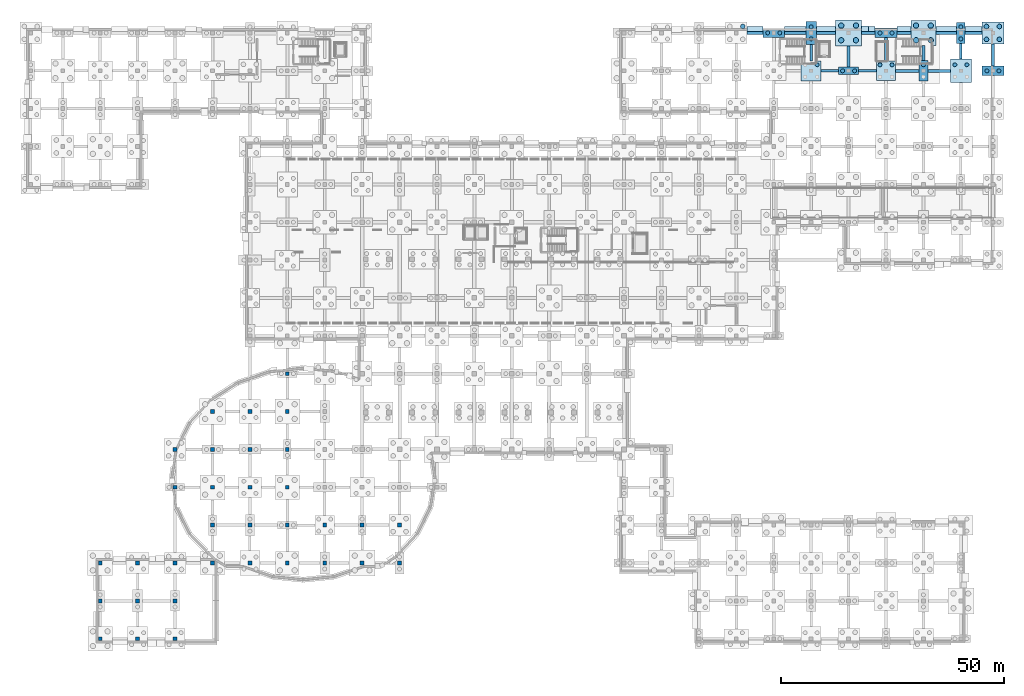
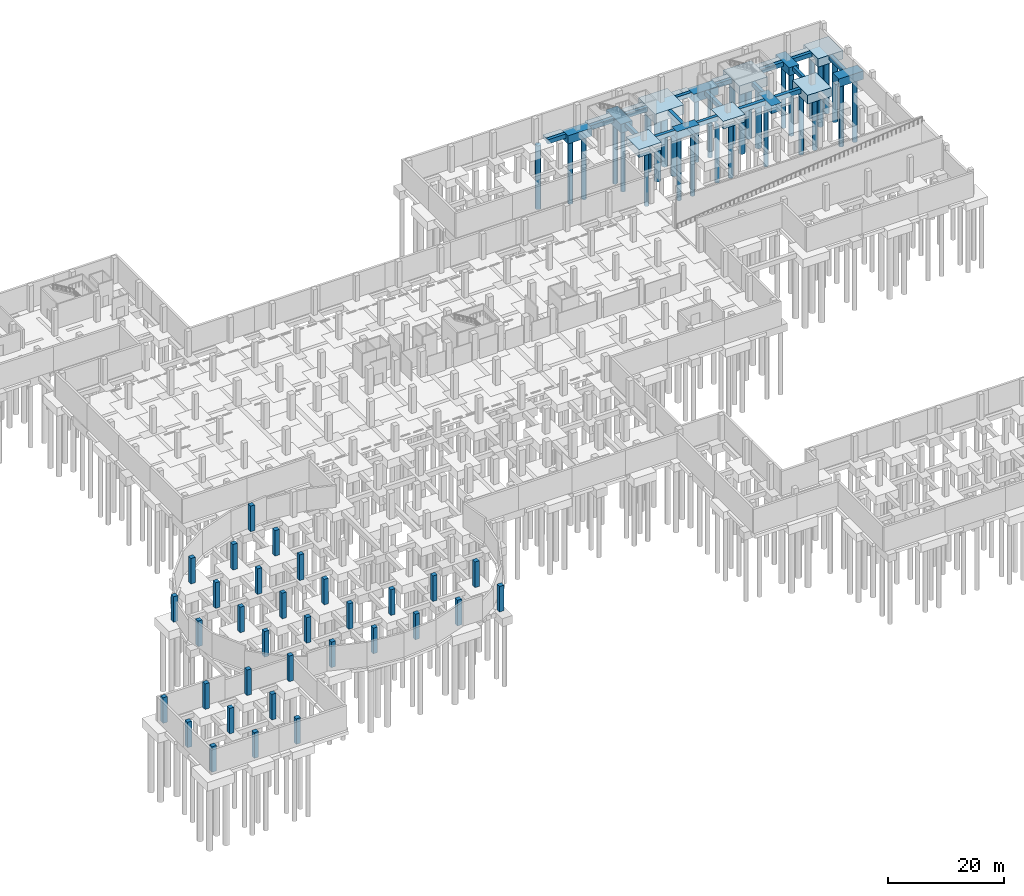
# One storey, part 22 of 34: 38 footings, 33 columns, 31 piles.
"""IFC4 building model written with IfcOpenShell, lengths in metres."""

from ifc_helpers import new_model, si_unit, direction, frame, origin, origin_2d, place, context, subcontext, project, spatial, rectangle, circle, extrude, material, material_profile, profile_set, type_object, element, save


model = new_model("IFC4")

# Units and contexts
model_context = context("Model", 3, precision=1e-05, world=origin(), true_north=direction((0.0, 1.0)))
body_context = subcontext(model_context, "Body", "Model", "MODEL_VIEW")
ifc_project = project(units=[si_unit("LENGTHUNIT", "METRE"), si_unit("AREAUNIT", "SQUARE_METRE"), si_unit("VOLUMEUNIT", "CUBIC_METRE"), si_unit("PLANEANGLEUNIT", "RADIAN"), si_unit("MASSUNIT", "GRAM", prefix="KILO")], contexts=[model_context])

# Site, building, storey
site_placement = place(None, origin())
site = spatial("IfcSite", under=ifc_project, at=site_placement, CompositionType="ELEMENT")
building_placement = place(site_placement, origin())
building = spatial("IfcBuilding", under=site, at=building_placement, Name="Solvento Point Concert Hall", CompositionType="ELEMENT")
storey_placement = place(building_placement, frame((0.0, 0.0, -5.39990234375)))
storey = spatial("IfcBuildingStorey", under=building, at=storey_placement, Name="B01", CompositionType="ELEMENT", Elevation=-5.39990234375)

# Piles
ifc_material_1 = material(Name="Concrete C40/50", Category="concrete")
ifc_material_profile_1 = material_profile(ifc_material_1, circle(Radius=0.52490234375, at=origin_2d()), Name="BP-1050")
ifc_profile_set_1 = profile_set([ifc_material_profile_1], Name="Concrete C40/50")
pile_type_1 = type_object("IfcPileType", Name="BoredPile_1050", PredefinedType="BORED", material=ifc_profile_set_1)
pile_1_placement = place(storey_placement, frame((159.85009765625, 137.449951171875, -1.6201171875), z_axis=(0.0, 0.0, -1.0), x_axis=(1.0, 0.0, 0.0)))
element("IfcPile", 1, at=pile_1_placement, inside=storey, type_object=pile_type_1, Name="Bored pile BoredPile_1050 #592", PredefinedType="BORED", context=body_context, shape_type="SweptSolid", body=[
    extrude(circle(Radius=0.52490234375, at=origin_2d()), origin(), (0.0, 0.0, 1.0), 13.47998046875),
])
for number, where, z_axis, x_axis, name in (
    (2, (214.550048828125, 134.550048828125, -1.66015625), (0.0, 0.0, -1.0), (1.0, 0.0, 0.0), "Bored pile BoredPile_1050 #811"),
    (3, (217.449951171875, 134.550048828125, -1.66015625), (0.0, 0.0, -1.0), (1.0, 0.0, 0.0), "Bored pile BoredPile_1050 #812"),
    (4, (214.550048828125, 137.449951171875, -1.66015625), (0.0, 0.0, -1.0), (1.0, 0.0, 0.0), "Bored pile BoredPile_1050 #813"),
    (5, (217.449951171875, 137.449951171875, -1.66015625), (0.0, 0.0, -1.0), (1.0, 0.0, 0.0), "Bored pile BoredPile_1050 #814"),
):
    element("IfcPile", number, at=place(storey_placement, frame(where, z_axis=z_axis, x_axis=x_axis)), inside=storey, type_object=pile_type_1, Name=name, PredefinedType="BORED", context=body_context, shape_type="SweptSolid", body=[
        extrude(circle(Radius=0.52490234375, at=origin_2d()), origin(), (0.0, 0.0, 1.0), 13.43994140625),
    ])
ifc_material_2 = material(Name="Concrete C40/50", Category="concrete")
ifc_material_profile_2 = material_profile(ifc_material_2, circle(Radius=0.60009765625, at=origin_2d()), Name="BP-1200")
ifc_profile_set_2 = profile_set([ifc_material_profile_2], Name="Concrete C40/50")
pile_type_2 = type_object("IfcPileType", Name="BoredPile_1200", PredefinedType="BORED", material=ifc_profile_set_2)
for number, where, z_axis, x_axis, name in (
    (6, (181.949951171875, 134.35009765625, -1.85009765625), (0.0, 0.0, -1.0), (1.0, 0.0, 0.0), "Bored pile BoredPile_1200 #691"),
    (7, (185.25, 134.35009765625, -1.85009765625), (0.0, 0.0, -1.0), (1.0, 0.0, 0.0), "Bored pile BoredPile_1200 #692"),
    (8, (181.949951171875, 137.64990234375, -1.85009765625), (0.0, 0.0, -1.0), (1.0, 0.0, 0.0), "Bored pile BoredPile_1200 #693"),
    (9, (185.25, 137.64990234375, -1.85009765625), (0.0, 0.0, -1.0), (1.0, 0.0, 0.0), "Bored pile BoredPile_1200 #694"),
):
    element("IfcPile", number, at=place(storey_placement, frame(where, z_axis=z_axis, x_axis=x_axis)), inside=storey, type_object=pile_type_2, Name=name, PredefinedType="BORED", context=body_context, shape_type="SweptSolid", body=[
        extrude(circle(Radius=0.60009765625, at=origin_2d()), origin(), (0.0, 0.0, 1.0), 13.25),
    ])
for number, where, z_axis, x_axis, name in (
    (10, (198.75, 134.35009765625, -1.800048828125), (0.0, 0.0, -1.0), (1.0, 0.0, 0.0), "Bored pile BoredPile_1200 #757"),
    (11, (202.050048828125, 134.35009765625, -1.800048828125), (0.0, 0.0, -1.0), (1.0, 0.0, 0.0), "Bored pile BoredPile_1200 #758"),
    (12, (198.75, 137.64990234375, -1.800048828125), (0.0, 0.0, -1.0), (1.0, 0.0, 0.0), "Bored pile BoredPile_1200 #759"),
    (13, (202.050048828125, 137.64990234375, -1.800048828125), (0.0, 0.0, -1.0), (1.0, 0.0, 0.0), "Bored pile BoredPile_1200 #760"),
):
    element("IfcPile", number, at=place(storey_placement, frame(where, z_axis=z_axis, x_axis=x_axis)), inside=storey, type_object=pile_type_2, Name=name, PredefinedType="BORED", context=body_context, shape_type="SweptSolid", body=[
        extrude(circle(Radius=0.60009765625, at=origin_2d()), origin(), (0.0, 0.0, 1.0), 13.300048828125),
    ])
ifc_material_3 = material(Name="Concrete C40/50", Category="concrete")
ifc_material_profile_3 = material_profile(ifc_material_3, circle(Radius=0.449951171875, at=origin_2d()), Name="BP-900")
ifc_profile_set_3 = profile_set([ifc_material_profile_3], Name="Concrete C40/50")
pile_type_3 = type_object("IfcPileType", Name="BoredPile_900", PredefinedType="BORED", material=ifc_profile_set_3)
for number, where, z_axis, x_axis, name in (
    (14, (165.449951171875, 136.0, -1.60009765625), (0.0, 0.0, -1.0), (1.0, 0.0, 0.0), "Bored pile BoredPile_900 #629"),
    (15, (168.14990234375, 136.0, -1.60009765625), (0.0, 0.0, -1.0), (1.0, 0.0, 0.0), "Bored pile BoredPile_900 #630"),
):
    element("IfcPile", number, at=place(storey_placement, frame(where, z_axis=z_axis, x_axis=x_axis)), inside=storey, type_object=pile_type_3, Name=name, PredefinedType="BORED", context=body_context, shape_type="SweptSolid", body=[
        extrude(circle(Radius=0.449951171875, at=origin_2d()), origin(), (0.0, 0.0, 1.0), 13.5),
    ])
pile_2_placement = place(storey_placement, frame((176.550048828125, 128.85009765625, -1.550048828125), z_axis=(0.0, 0.0, -1.0), x_axis=(1.0, 0.0, 0.0)))
element("IfcPile", 16, at=pile_2_placement, inside=storey, type_object=pile_type_3, Name="Bored pile BoredPile_900 #658", PredefinedType="BORED", context=body_context, shape_type="SweptSolid", body=[
    extrude(circle(Radius=0.449951171875, at=origin_2d()), origin(), (0.0, 0.0, 1.0), 13.550048828125),
])
for number, where, z_axis, x_axis, name in (
    (17, (175.199951171875, 134.64990234375, -1.739990234375), (0.0, 0.0, -1.0), (1.0, 0.0, 0.0), "Bored pile BoredPile_900 #659"),
    (18, (175.199951171875, 137.35009765625, -1.739990234375), (0.0, 0.0, -1.0), (1.0, 0.0, 0.0), "Bored pile BoredPile_900 #660"),
):
    element("IfcPile", number, at=place(storey_placement, frame(where, z_axis=z_axis, x_axis=x_axis)), inside=storey, type_object=pile_type_3, Name=name, PredefinedType="BORED", context=body_context, shape_type="SweptSolid", body=[
        extrude(circle(Radius=0.449951171875, at=origin_2d()), origin(), (0.0, 0.0, 1.0), 13.360107421875),
    ])
for number, where, z_axis, x_axis, name in (
    (19, (182.25, 127.5, -1.5), (0.0, 0.0, -1.0), (1.0, 0.0, 0.0), "Bored pile BoredPile_900 #689"),
    (20, (184.949951171875, 127.5, -1.5), (0.0, 0.0, -1.0), (1.0, 0.0, 0.0), "Bored pile BoredPile_900 #690"),
    (21, (190.64990234375, 128.85009765625, -1.5), (0.0, 0.0, -1.0), (1.0, 0.0, 0.0), "Bored pile BoredPile_900 #723"),
    (22, (193.35009765625, 128.85009765625, -1.5), (0.0, 0.0, -1.0), (1.0, 0.0, 0.0), "Bored pile BoredPile_900 #724"),
):
    element("IfcPile", number, at=place(storey_placement, frame(where, z_axis=z_axis, x_axis=x_axis)), inside=storey, type_object=pile_type_3, Name=name, PredefinedType="BORED", context=body_context, shape_type="SweptSolid", body=[
        extrude(circle(Radius=0.449951171875, at=origin_2d()), origin(), (0.0, 0.0, 1.0), 13.60009765625),
    ])
for number, where, z_axis, x_axis, name in (
    (23, (190.64990234375, 136.0, -1.650146484375), (0.0, 0.0, -1.0), (1.0, 0.0, 0.0), "Bored pile BoredPile_900 #725"),
    (24, (193.35009765625, 136.0, -1.650146484375), (0.0, 0.0, -1.0), (1.0, 0.0, 0.0), "Bored pile BoredPile_900 #726"),
):
    element("IfcPile", number, at=place(storey_placement, frame(where, z_axis=z_axis, x_axis=x_axis)), inside=storey, type_object=pile_type_3, Name=name, PredefinedType="BORED", context=body_context, shape_type="SweptSolid", body=[
        extrude(circle(Radius=0.449951171875, at=origin_2d()), origin(), (0.0, 0.0, 1.0), 13.449951171875),
    ])
pile_3_placement = place(storey_placement, frame((200.39990234375, 128.85009765625, -1.56005859375), z_axis=(0.0, 0.0, -1.0), x_axis=(1.0, 0.0, 0.0)))
element("IfcPile", 25, at=pile_3_placement, inside=storey, type_object=pile_type_3, Name="Bored pile BoredPile_900 #756", PredefinedType="BORED", context=body_context, shape_type="SweptSolid", body=[
    extrude(circle(Radius=0.449951171875, at=origin_2d()), origin(), (0.0, 0.0, 1.0), 13.5400390625),
])
for number, where, z_axis, x_axis, name in (
    (26, (207.449951171875, 128.85009765625, -1.760009765625), (0.0, 0.0, -1.0), (1.0, 0.0, 0.0), "Bored pile BoredPile_900 #789"),
    (27, (210.14990234375, 128.85009765625, -1.760009765625), (0.0, 0.0, -1.0), (1.0, 0.0, 0.0), "Bored pile BoredPile_900 #790"),
):
    element("IfcPile", number, at=place(storey_placement, frame(where, z_axis=z_axis, x_axis=x_axis)), inside=storey, type_object=pile_type_3, Name=name, PredefinedType="BORED", context=body_context, shape_type="SweptSolid", body=[
        extrude(circle(Radius=0.449951171875, at=origin_2d()), origin(), (0.0, 0.0, 1.0), 13.340087890625),
    ])
for number, where, z_axis, x_axis, name in (
    (28, (208.800048828125, 134.64990234375, -1.580078125), (0.0, 0.0, -1.0), (1.0, 0.0, 0.0), "Bored pile BoredPile_900 #791"),
    (29, (208.800048828125, 137.35009765625, -1.580078125), (0.0, 0.0, -1.0), (1.0, 0.0, 0.0), "Bored pile BoredPile_900 #792"),
):
    element("IfcPile", number, at=place(storey_placement, frame(where, z_axis=z_axis, x_axis=x_axis)), inside=storey, type_object=pile_type_3, Name=name, PredefinedType="BORED", context=body_context, shape_type="SweptSolid", body=[
        extrude(circle(Radius=0.449951171875, at=origin_2d()), origin(), (0.0, 0.0, 1.0), 13.52001953125),
    ])
for number, where, z_axis, x_axis, name in (
    (30, (214.64990234375, 127.5, -1.650146484375), (0.0, 0.0, -1.0), (1.0, 0.0, 0.0), "Bored pile BoredPile_900 #809"),
    (31, (217.35009765625, 127.5, -1.650146484375), (0.0, 0.0, -1.0), (1.0, 0.0, 0.0), "Bored pile BoredPile_900 #810"),
):
    element("IfcPile", number, at=place(storey_placement, frame(where, z_axis=z_axis, x_axis=x_axis)), inside=storey, type_object=pile_type_3, Name=name, PredefinedType="BORED", context=body_context, shape_type="SweptSolid", body=[
        extrude(circle(Radius=0.449951171875, at=origin_2d()), origin(), (0.0, 0.0, 1.0), 13.449951171875),
    ])

# Footings
ifc_material_4 = material(Name="Concrete C40/50", Category="concrete")
footing_type_1 = type_object("IfcFootingType", Name="PileCap_2C", PredefinedType="PILE_CAP", material=ifc_material_4)
footing_1_placement = place(storey_placement, frame((183.60009765625, 127.5, -1.60009765625), z_axis=(0.0, 0.0, 1.0), x_axis=(1.0, 0.0, 0.0)))
element("IfcFooting", 32, at=footing_1_placement, inside=storey, type_object=footing_type_1, Name="Pile cap PC-2C at G-23-R", PredefinedType="PILE_CAP", context=body_context, shape_type="SweptSolid", body=[
    extrude(rectangle(XDim=4.4599609375, YDim=1.780029296875, at=origin_2d()), origin(), (0.0, 0.0, 1.0), 1.60009765625),
])
ifc_material_5 = material(Name="Concrete C40/50", Category="concrete")
footing_type_2 = type_object("IfcFootingType", Name="PileCap_2F", PredefinedType="PILE_CAP", material=ifc_material_5)
footing_2_placement = place(storey_placement, frame((208.800048828125, 136.0, -1.68017578125), z_axis=(0.0, 0.0, 1.0), x_axis=(1.0, 0.0, 0.0)))
element("IfcFooting", 33, at=footing_2_placement, inside=storey, type_object=footing_type_2, Name="Pile cap PC-2F at G-26-S", PredefinedType="PILE_CAP", context=body_context, shape_type="SweptSolid", body=[
    extrude(rectangle(XDim=1.9599609375, YDim=4.699951171875, at=origin_2d()), origin(), (0.0, 0.0, 1.0), 1.679931640625),
])
ifc_material_6 = material(Name="Concrete C40/50", Category="concrete")
footing_type_3 = type_object("IfcFootingType", Name="PileCap_2G", PredefinedType="PILE_CAP", material=ifc_material_6)
footing_3_placement = place(storey_placement, frame((166.800048828125, 136.0, -1.7001953125), z_axis=(0.0, 0.0, 1.0), x_axis=(1.0, 0.0, 0.0)))
element("IfcFooting", 34, at=footing_3_placement, inside=storey, type_object=footing_type_3, Name="Pile cap PC-2G at G-21-S", PredefinedType="PILE_CAP", context=body_context, shape_type="SweptSolid", body=[
    extrude(rectangle(XDim=4.780029296875, YDim=2.02001953125, at=origin_2d()), origin(), (0.0, 0.0, 1.0), 1.699951171875),
])
ifc_material_7 = material(Name="Concrete C40/50", Category="concrete")
footing_type_4 = type_object("IfcFootingType", Name="PileCap_2J", PredefinedType="PILE_CAP", material=ifc_material_7)
for number, where, z_axis, x_axis, name in (
    (35, (192.0, 136.0, -1.75), (0.0, 0.0, 1.0), (1.0, 0.0, 0.0), "Pile cap PC-2J at G-24-S"),
    (36, (216.0, 127.5, -1.75), (0.0, 0.0, 1.0), (1.0, 0.0, 0.0), "Pile cap PC-2J at G-27-R"),
):
    element("IfcFooting", number, at=place(storey_placement, frame(where, z_axis=z_axis, x_axis=x_axis)), inside=storey, type_object=footing_type_4, Name=name, PredefinedType="PILE_CAP", context=body_context, shape_type="SweptSolid", body=[
        extrude(rectangle(XDim=4.93994140625, YDim=2.139892578125, at=origin_2d()), origin(), (0.0, 0.0, 1.0), 1.75),
    ])
ifc_material_8 = material(Name="Concrete C40/50", Category="concrete")
footing_type_5 = type_object("IfcFootingType", Name="PileCap_2M", PredefinedType="PILE_CAP", material=ifc_material_8)
footing_4_placement = place(storey_placement, frame((175.199951171875, 136.0, -1.84033203125), z_axis=(0.0, 0.0, 1.0), x_axis=(1.0, 0.0, 0.0)))
element("IfcFooting", 37, at=footing_4_placement, inside=storey, type_object=footing_type_5, Name="Pile cap PC-2M at G-22-S", PredefinedType="PILE_CAP", context=body_context, shape_type="SweptSolid", body=[
    extrude(rectangle(XDim=2.320068359375, YDim=5.179931640625, at=origin_2d()), origin(), (0.0, 0.0, 1.0), 1.840087890625),
])
ifc_material_9 = material(Name="Concrete C40/50", Category="concrete")
footing_type_6 = type_object("IfcFootingType", Name="PileCap_2P", PredefinedType="PILE_CAP", material=ifc_material_9)
footing_5_placement = place(storey_placement, frame((200.39990234375, 127.5, -1.66015625), z_axis=(0.0, 0.0, 1.0), x_axis=(1.0, 0.0, 0.0)))
element("IfcFooting", 38, at=footing_5_placement, inside=storey, type_object=footing_type_6, Name="Pile cap PC-2P at G-25-R", PredefinedType="PILE_CAP", context=body_context, shape_type="SweptSolid", body=[
    extrude(rectangle(XDim=2.050048828125, YDim=4.580078125, at=origin_2d()), origin(), (0.0, 0.0, 1.0), 1.659912109375),
])
ifc_material_10 = material(Name="Concrete C40/50", Category="concrete")
footing_type_7 = type_object("IfcFootingType", Name="PileCap_4A", PredefinedType="PILE_CAP", material=ifc_material_10)
footing_6_placement = place(storey_placement, frame((192.0, 127.5, -1.60009765625), z_axis=(0.0, 0.0, 1.0), x_axis=(1.0, 0.0, 0.0)))
element("IfcFooting", 39, at=footing_6_placement, inside=storey, type_object=footing_type_7, Name="Pile cap PC-4A at G-24-R", PredefinedType="PILE_CAP", context=body_context, shape_type="SweptSolid", body=[
    extrude(rectangle(XDim=4.35009765625, YDim=4.35009765625, at=origin_2d()), origin(), (0.0, 0.0, 1.0), 1.60009765625),
])
ifc_material_11 = material(Name="Concrete C40/50", Category="concrete")
footing_type_8 = type_object("IfcFootingType", Name="PileCap_4B", PredefinedType="PILE_CAP", material=ifc_material_11)
footing_7_placement = place(storey_placement, frame((175.199951171875, 127.5, -1.650146484375), z_axis=(0.0, 0.0, 1.0), x_axis=(1.0, 0.0, 0.0)))
element("IfcFooting", 40, at=footing_7_placement, inside=storey, type_object=footing_type_8, Name="Pile cap PC-4B at G-22-R", PredefinedType="PILE_CAP", context=body_context, shape_type="SweptSolid", body=[
    extrude(rectangle(XDim=4.5, YDim=4.5, at=origin_2d()), origin(), (0.0, 0.0, 1.0), 1.64990234375),
])
ifc_material_12 = material(Name="Concrete C40/50", Category="concrete")
footing_type_9 = type_object("IfcFootingType", Name="PileCap_4D", PredefinedType="PILE_CAP", material=ifc_material_12)
footing_8_placement = place(storey_placement, frame((216.0, 136.0, -1.76025390625), z_axis=(0.0, 0.0, 1.0), x_axis=(1.0, 0.0, 0.0)))
element("IfcFooting", 41, at=footing_8_placement, inside=storey, type_object=footing_type_9, Name="Pile cap PC-4D at G-27-S", PredefinedType="PILE_CAP", context=body_context, shape_type="SweptSolid", body=[
    extrude(rectangle(XDim=4.97998046875, YDim=4.97998046875, at=origin_2d()), origin(), (0.0, 0.0, 1.0), 1.760009765625),
])
ifc_material_13 = material(Name="Concrete C40/50", Category="concrete")
footing_type_10 = type_object("IfcFootingType", Name="PileCap_4G", PredefinedType="PILE_CAP", material=ifc_material_13)
footing_9_placement = place(storey_placement, frame((200.39990234375, 136.0, -1.900146484375), z_axis=(0.0, 0.0, 1.0), x_axis=(1.0, 0.0, 0.0)))
element("IfcFooting", 42, at=footing_9_placement, inside=storey, type_object=footing_type_10, Name="Pile cap PC-4G at G-25-S", PredefinedType="PILE_CAP", context=body_context, shape_type="SweptSolid", body=[
    extrude(rectangle(XDim=5.6201171875, YDim=5.6201171875, at=origin_2d()), origin(), (0.0, 0.0, 1.0), 1.89990234375),
])
ifc_material_14 = material(Name="Concrete C40/50", Category="concrete")
footing_type_11 = type_object("IfcFootingType", Name="PileCap_4H", PredefinedType="PILE_CAP", material=ifc_material_14)
footing_10_placement = place(storey_placement, frame((183.60009765625, 136.0, -1.9501953125), z_axis=(0.0, 0.0, 1.0), x_axis=(1.0, 0.0, 0.0)))
element("IfcFooting", 43, at=footing_10_placement, inside=storey, type_object=footing_type_11, Name="Pile cap PC-4H at G-23-S", PredefinedType="PILE_CAP", context=body_context, shape_type="SweptSolid", body=[
    extrude(rectangle(XDim=5.800048828125, YDim=5.800048828125, at=origin_2d()), origin(), (0.0, 0.0, 1.0), 1.949951171875),
])
ifc_material_15 = material(Name="Concrete C40/50", Category="concrete")
footing_type_12 = type_object("IfcFootingType", Name="PileCap_4M", PredefinedType="PILE_CAP", material=ifc_material_15)
footing_11_placement = place(storey_placement, frame((208.800048828125, 127.5, -1.8603515625), z_axis=(0.0, 0.0, 1.0), x_axis=(1.0, 0.0, 0.0)))
element("IfcFooting", 44, at=footing_11_placement, inside=storey, type_object=footing_type_12, Name="Pile cap PC-4M at G-26-R", PredefinedType="PILE_CAP", context=body_context, shape_type="SweptSolid", body=[
    extrude(rectangle(XDim=4.739990234375, YDim=5.300048828125, at=origin_2d()), origin(), (0.0, 0.0, 1.0), 1.860107421875),
])
ifc_material_16 = material(Name="Concrete C40/50", Category="concrete")
footing_type_13 = type_object("IfcFootingType", Name="StripFooting_1400x700", PredefinedType="STRIP_FOOTING", material=ifc_material_16)
footing_12_placement = place(storey_placement, frame((162.610107421875, 136.7548828125, -0.7001953125), z_axis=(0.0, 0.0, 1.0), x_axis=(1.0, 0.0, 0.0)))
element("IfcFooting", 45, at=footing_12_placement, inside=storey, type_object=footing_type_13, Name="Strip footing SF-02", PredefinedType="STRIP_FOOTING", context=body_context, shape_type="SweptSolid", body=[
    extrude(rectangle(XDim=3.580078125, YDim=1.39990234375, at=origin_2d()), origin(), (0.0, 0.0, 1.0), 0.699951171875),
])
footing_13_placement = place(storey_placement, frame((171.614990234375, 136.7548828125, -0.7001953125), z_axis=(0.0, 0.0, 1.0), x_axis=(1.0, 0.0, 0.0)))
element("IfcFooting", 46, at=footing_13_placement, inside=storey, type_object=footing_type_13, Name="Strip footing SF-02", PredefinedType="STRIP_FOOTING", context=body_context, shape_type="SweptSolid", body=[
    extrude(rectangle(XDim=4.830078125, YDim=1.39990234375, at=origin_2d()), origin(), (0.0, 0.0, 1.0), 0.699951171875),
])
footing_14_placement = place(storey_placement, frame((178.530029296875, 136.7548828125, -0.7001953125), z_axis=(0.0, 0.0, 1.0), x_axis=(1.0, 0.0, 0.0)))
element("IfcFooting", 47, at=footing_14_placement, inside=storey, type_object=footing_type_13, Name="Strip footing SF-02", PredefinedType="STRIP_FOOTING", context=body_context, shape_type="SweptSolid", body=[
    extrude(rectangle(XDim=4.320068359375, YDim=1.39990234375, at=origin_2d()), origin(), (0.0, 0.0, 1.0), 0.699951171875),
])
footing_15_placement = place(storey_placement, frame((187.291748046875, 136.7548828125, -0.7001953125), z_axis=(0.0, 0.0, 1.0), x_axis=(1.0, 0.0, 0.0)))
element("IfcFooting", 48, at=footing_15_placement, inside=storey, type_object=footing_type_13, Name="Strip footing SF-02", PredefinedType="STRIP_FOOTING", context=body_context, shape_type="SweptSolid", body=[
    extrude(rectangle(XDim=1.563232421875, YDim=1.563232421875, at=origin_2d()), origin(), (0.0, 0.0, 1.0), 0.699951171875),
])
footing_16_placement = place(storey_placement, frame((188.801513671875, 136.7548828125, -0.7001953125), z_axis=(0.0, 0.0, 1.0), x_axis=(1.0, 0.0, 0.0)))
element("IfcFooting", 49, at=footing_16_placement, inside=storey, type_object=footing_type_13, Name="Strip footing SF-02", PredefinedType="STRIP_FOOTING", context=body_context, shape_type="SweptSolid", body=[
    extrude(rectangle(XDim=1.436767578125, YDim=1.436767578125, at=origin_2d()), origin(), (0.0, 0.0, 1.0), 0.699951171875),
])
footing_17_placement = place(storey_placement, frame((196.030029296875, 136.7548828125, -0.7001953125), z_axis=(0.0, 0.0, 1.0), x_axis=(1.0, 0.0, 0.0)))
element("IfcFooting", 50, at=footing_17_placement, inside=storey, type_object=footing_type_13, Name="Strip footing SF-02", PredefinedType="STRIP_FOOTING", context=body_context, shape_type="SweptSolid", body=[
    extrude(rectangle(XDim=3.10009765625, YDim=1.39990234375, at=origin_2d()), origin(), (0.0, 0.0, 1.0), 0.699951171875),
])
footing_18_placement = place(storey_placement, frame((205.514892578125, 136.7548828125, -0.7001953125), z_axis=(0.0, 0.0, 1.0), x_axis=(1.0, 0.0, 0.0)))
element("IfcFooting", 51, at=footing_18_placement, inside=storey, type_object=footing_type_13, Name="Strip footing SF-02", PredefinedType="STRIP_FOOTING", context=body_context, shape_type="SweptSolid", body=[
    extrude(rectangle(XDim=4.590087890625, YDim=1.39990234375, at=origin_2d()), origin(), (0.0, 0.0, 1.0), 0.699951171875),
])
footing_19_placement = place(storey_placement, frame((211.64501953125, 136.7548828125, -0.7001953125), z_axis=(0.0, 0.0, 1.0), x_axis=(1.0, 0.0, 0.0)))
element("IfcFooting", 52, at=footing_19_placement, inside=storey, type_object=footing_type_13, Name="Strip footing SF-02", PredefinedType="STRIP_FOOTING", context=body_context, shape_type="SweptSolid", body=[
    extrude(rectangle(XDim=3.7099609375, YDim=1.39990234375, at=origin_2d()), origin(), (0.0, 0.0, 1.0), 0.699951171875),
])
ifc_material_17 = material(Name="Concrete C40/50", Category="concrete")
footing_type_14 = type_object("IfcFootingType", Name="TieBeam_600x900", PredefinedType="FOOTING_BEAM", material=ifc_material_17)
footing_20_placement = place(storey_placement, frame((188.014892578125, 136.0, -0.900146484375), z_axis=(0.0, 0.0, 1.0), x_axis=(1.0, 0.0, 0.0)))
element("IfcFooting", 53, at=footing_20_placement, inside=storey, type_object=footing_type_14, Name="Seismic tie beam GB-01", PredefinedType="FOOTING_BEAM", context=body_context, shape_type="SweptSolid", body=[
    extrude(rectangle(XDim=3.030029296875, YDim=0.60009765625, at=origin_2d()), origin(), (0.0, 0.0, 1.0), 0.89990234375),
])
footing_21_placement = place(storey_placement, frame((196.030029296875, 136.0, -0.900146484375), z_axis=(0.0, 0.0, 1.0), x_axis=(1.0, 0.0, 0.0)))
element("IfcFooting", 54, at=footing_21_placement, inside=storey, type_object=footing_type_14, Name="Seismic tie beam GB-01", PredefinedType="FOOTING_BEAM", context=body_context, shape_type="SweptSolid", body=[
    extrude(rectangle(XDim=3.1201171875, YDim=0.60009765625, at=origin_2d()), origin(), (0.0, 0.0, 1.0), 0.89990234375),
])
footing_22_placement = place(storey_placement, frame((200.39990234375, 131.489990234375, -0.900146484375), z_axis=(0.0, 0.0, 1.0), x_axis=(0.0, 1.0, 0.0)))
element("IfcFooting", 55, at=footing_22_placement, inside=storey, type_object=footing_type_14, Name="Seismic tie beam GB-01", PredefinedType="FOOTING_BEAM", context=body_context, shape_type="SweptSolid", body=[
    extrude(rectangle(XDim=3.39990234375, YDim=0.60009765625, at=origin_2d()), origin(), (0.0, 0.0, 1.0), 0.89990234375),
])
footing_23_placement = place(storey_placement, frame((208.800048828125, 131.89990234375, -0.900146484375), z_axis=(0.0, 0.0, 1.0), x_axis=(0.0, 1.0, 0.0)))
element("IfcFooting", 56, at=footing_23_placement, inside=storey, type_object=footing_type_14, Name="Seismic tie beam GB-01", PredefinedType="FOOTING_BEAM", context=body_context, shape_type="SweptSolid", body=[
    extrude(rectangle(XDim=3.5, YDim=0.60009765625, at=origin_2d()), origin(), (0.0, 0.0, 1.0), 0.89990234375),
])
ifc_material_18 = material(Name="Concrete C40/50", Category="concrete")
footing_type_15 = type_object("IfcFootingType", Name="TieBeam_620x920", PredefinedType="FOOTING_BEAM", material=ifc_material_18)
footing_24_placement = place(storey_placement, frame((179.409912109375, 127.5, -0.920166015625), z_axis=(0.0, 0.0, 1.0), x_axis=(1.0, 0.0, 0.0)))
element("IfcFooting", 57, at=footing_24_placement, inside=storey, type_object=footing_type_15, Name="Seismic tie beam GB-02", PredefinedType="FOOTING_BEAM", context=body_context, shape_type="SweptSolid", body=[
    extrude(rectangle(XDim=3.919921875, YDim=0.6201171875, at=origin_2d()), origin(), (0.0, 0.0, 1.0), 0.919921875),
])
footing_25_placement = place(storey_placement, frame((187.827392578125, 127.5, -0.920166015625), z_axis=(0.0, 0.0, 1.0), x_axis=(1.0, 0.0, 0.0)))
element("IfcFooting", 58, at=footing_25_placement, inside=storey, type_object=footing_type_15, Name="Seismic tie beam GB-02", PredefinedType="FOOTING_BEAM", context=body_context, shape_type="SweptSolid", body=[
    extrude(rectangle(XDim=3.9951171875, YDim=0.6201171875, at=origin_2d()), origin(), (0.0, 0.0, 1.0), 0.919921875),
])
footing_26_placement = place(storey_placement, frame((162.610107421875, 136.0, -0.920166015625), z_axis=(0.0, 0.0, 1.0), x_axis=(1.0, 0.0, 0.0)))
element("IfcFooting", 59, at=footing_26_placement, inside=storey, type_object=footing_type_15, Name="Seismic tie beam GB-02", PredefinedType="FOOTING_BEAM", context=body_context, shape_type="SweptSolid", body=[
    extrude(rectangle(XDim=3.60009765625, YDim=0.6201171875, at=origin_2d()), origin(), (0.0, 0.0, 1.0), 0.919921875),
])
footing_27_placement = place(storey_placement, frame((211.64501953125, 136.0, -0.920166015625), z_axis=(0.0, 0.0, 1.0), x_axis=(1.0, 0.0, 0.0)))
element("IfcFooting", 60, at=footing_27_placement, inside=storey, type_object=footing_type_15, Name="Seismic tie beam GB-02", PredefinedType="FOOTING_BEAM", context=body_context, shape_type="SweptSolid", body=[
    extrude(rectangle(XDim=3.72998046875, YDim=0.6201171875, at=origin_2d()), origin(), (0.0, 0.0, 1.0), 0.919921875),
])
footing_28_placement = place(storey_placement, frame((175.199951171875, 131.580078125, -0.920166015625), z_axis=(0.0, 0.0, 1.0), x_axis=(0.0, 1.0, 0.0)))
element("IfcFooting", 61, at=footing_28_placement, inside=storey, type_object=footing_type_15, Name="Seismic tie beam GB-02", PredefinedType="FOOTING_BEAM", context=body_context, shape_type="SweptSolid", body=[
    extrude(rectangle(XDim=3.659912109375, YDim=0.6201171875, at=origin_2d()), origin(), (0.0, 0.0, 1.0), 0.919921875),
])
ifc_material_19 = material(Name="Concrete C40/50", Category="concrete")
footing_type_16 = type_object("IfcFootingType", Name="TieBeam_650x950", PredefinedType="FOOTING_BEAM", material=ifc_material_19)
footing_29_placement = place(storey_placement, frame((171.614990234375, 136.0, -0.9501953125), z_axis=(0.0, 0.0, 1.0), x_axis=(1.0, 0.0, 0.0)))
element("IfcFooting", 62, at=footing_29_placement, inside=storey, type_object=footing_type_16, Name="Seismic tie beam GB-03", PredefinedType="FOOTING_BEAM", context=body_context, shape_type="SweptSolid", body=[
    extrude(rectangle(XDim=4.85009765625, YDim=0.64990234375, at=origin_2d()), origin(), (0.0, 0.0, 1.0), 0.949951171875),
])
footing_30_placement = place(storey_placement, frame((178.530029296875, 136.0, -0.9501953125), z_axis=(0.0, 0.0, 1.0), x_axis=(1.0, 0.0, 0.0)))
element("IfcFooting", 63, at=footing_30_placement, inside=storey, type_object=footing_type_16, Name="Seismic tie beam GB-03", PredefinedType="FOOTING_BEAM", context=body_context, shape_type="SweptSolid", body=[
    extrude(rectangle(XDim=4.340087890625, YDim=0.64990234375, at=origin_2d()), origin(), (0.0, 0.0, 1.0), 0.949951171875),
])
footing_31_placement = place(storey_placement, frame((205.514892578125, 136.0, -0.9501953125), z_axis=(0.0, 0.0, 1.0), x_axis=(1.0, 0.0, 0.0)))
element("IfcFooting", 64, at=footing_31_placement, inside=storey, type_object=footing_type_16, Name="Seismic tie beam GB-03", PredefinedType="FOOTING_BEAM", context=body_context, shape_type="SweptSolid", body=[
    extrude(rectangle(XDim=4.610107421875, YDim=0.64990234375, at=origin_2d()), origin(), (0.0, 0.0, 1.0), 0.949951171875),
])
footing_32_placement = place(storey_placement, frame((183.60009765625, 130.7451171875, -0.9501953125), z_axis=(0.0, 0.0, 1.0), x_axis=(0.0, 1.0, 0.0)))
element("IfcFooting", 65, at=footing_32_placement, inside=storey, type_object=footing_type_16, Name="Seismic tie beam GB-03", PredefinedType="FOOTING_BEAM", context=body_context, shape_type="SweptSolid", body=[
    extrude(rectangle(XDim=4.7099609375, YDim=0.64990234375, at=origin_2d()), origin(), (0.0, 0.0, 1.0), 0.949951171875),
])
footing_33_placement = place(storey_placement, frame((216.0, 131.0400390625, -0.9501953125), z_axis=(0.0, 0.0, 1.0), x_axis=(0.0, 1.0, 0.0)))
element("IfcFooting", 66, at=footing_33_placement, inside=storey, type_object=footing_type_16, Name="Seismic tie beam GB-03", PredefinedType="FOOTING_BEAM", context=body_context, shape_type="SweptSolid", body=[
    extrude(rectangle(XDim=4.93994140625, YDim=0.64990234375, at=origin_2d()), origin(), (0.0, 0.0, 1.0), 0.949951171875),
])
ifc_material_20 = material(Name="Concrete C40/50", Category="concrete")
footing_type_17 = type_object("IfcFootingType", Name="TieBeam_680x980", PredefinedType="FOOTING_BEAM", material=ifc_material_20)
footing_34_placement = place(storey_placement, frame((196.77490234375, 127.5, -0.97998046875), z_axis=(0.0, 0.0, 1.0), x_axis=(1.0, 0.0, 0.0)))
element("IfcFooting", 67, at=footing_34_placement, inside=storey, type_object=footing_type_17, Name="Seismic tie beam GB-04", PredefinedType="FOOTING_BEAM", context=body_context, shape_type="SweptSolid", body=[
    extrude(rectangle(XDim=5.199951171875, YDim=0.679931640625, at=origin_2d()), origin(), (0.0, 0.0, 1.0), 0.97998046875),
])
footing_35_placement = place(storey_placement, frame((203.927490234375, 127.5, -0.97998046875), z_axis=(0.0, 0.0, 1.0), x_axis=(1.0, 0.0, 0.0)))
element("IfcFooting", 68, at=footing_35_placement, inside=storey, type_object=footing_type_17, Name="Seismic tie beam GB-04", PredefinedType="FOOTING_BEAM", context=body_context, shape_type="SweptSolid", body=[
    extrude(rectangle(XDim=5.0048828125, YDim=0.679931640625, at=origin_2d()), origin(), (0.0, 0.0, 1.0), 0.97998046875),
])
footing_36_placement = place(storey_placement, frame((192.0, 132.302490234375, -0.97998046875), z_axis=(0.0, 0.0, 1.0), x_axis=(0.0, 1.0, 0.0)))
element("IfcFooting", 69, at=footing_36_placement, inside=storey, type_object=footing_type_17, Name="Seismic tie beam GB-04", PredefinedType="FOOTING_BEAM", context=body_context, shape_type="SweptSolid", body=[
    extrude(rectangle(XDim=5.2548828125, YDim=0.679931640625, at=origin_2d()), origin(), (0.0, 0.0, 1.0), 0.97998046875),
])

# Columns
ifc_material_21 = material(Name="Concrete C40/50", Category="concrete")
ifc_material_profile_4 = material_profile(ifc_material_21, rectangle(XDim=0.860107421875, YDim=0.860107421875, at=origin_2d()), Name="RC-COL-860X860")
ifc_profile_set_4 = profile_set([ifc_material_profile_4], Name="Concrete C40/50")
column_type = type_object("IfcColumnType", Name="Col_RC_860", PredefinedType="COLUMN", material=ifc_profile_set_4)
for number, where, z_axis, x_axis, name in (
    (70, (15.60009765625, 0.0, 0.0), (0.0, 0.0, 1.0), (1.0, 0.0, 0.0), "Column C-68 03/A B01"),
    (71, (15.60009765625, 8.5, 0.0), (0.0, 0.0, 1.0), (1.0, 0.0, 0.0), "Column C-68 03/B B01"),
    (72, (15.60009765625, 17.0, 0.0), (0.0, 0.0, 1.0), (1.0, 0.0, 0.0), "Column C-68 03/C B01"),
    (73, (24.0, 0.0, 0.0), (0.0, 0.0, 1.0), (1.0, 0.0, 0.0), "Column C-68 04/A B01"),
    (74, (24.0, 8.5, 0.0), (0.0, 0.0, 1.0), (1.0, 0.0, 0.0), "Column C-68 04/B B01"),
    (75, (24.0, 17.0, 0.0), (0.0, 0.0, 1.0), (1.0, 0.0, 0.0), "Column C-68 04/C B01"),
    (76, (32.39990234375, 0.0, 0.0), (0.0, 0.0, 1.0), (1.0, 0.0, 0.0), "Column C-68 05/A B01"),
    (77, (32.39990234375, 8.5, 0.0), (0.0, 0.0, 1.0), (1.0, 0.0, 0.0), "Column C-68 05/B B01"),
    (78, (32.39990234375, 17.0, 0.0), (0.0, 0.0, 1.0), (1.0, 0.0, 0.0), "Column C-68 05/C B01"),
    (79, (32.39990234375, 34.0, 0.0), (0.0, 0.0, 1.0), (1.0, 0.0, 0.0), "Column C-68 05/E B01"),
    (80, (32.39990234375, 42.5, 0.0), (0.0, 0.0, 1.0), (1.0, 0.0, 0.0), "Column C-68 05/F B01"),
    (81, (40.800048828125, 17.0, 0.0), (0.0, 0.0, 1.0), (1.0, 0.0, 0.0), "Column C-68 06/C B01"),
    (82, (40.800048828125, 25.5, 0.0), (0.0, 0.0, 1.0), (1.0, 0.0, 0.0), "Column C-68 06/D B01"),
    (83, (40.800048828125, 34.0, 0.0), (0.0, 0.0, 1.0), (1.0, 0.0, 0.0), "Column C-68 06/E B01"),
    (84, (40.800048828125, 42.5, 0.0), (0.0, 0.0, 1.0), (1.0, 0.0, 0.0), "Column C-68 06/F B01"),
    (85, (40.800048828125, 51.0, 0.0), (0.0, 0.0, 1.0), (1.0, 0.0, 0.0), "Column C-68 06/G B01"),
    (86, (49.199951171875, 17.0, 0.0), (0.0, 0.0, 1.0), (1.0, 0.0, 0.0), "Column C-68 07/C B01"),
    (87, (49.199951171875, 25.5, 0.0), (0.0, 0.0, 1.0), (1.0, 0.0, 0.0), "Column C-68 07/D B01"),
    (88, (49.199951171875, 34.0, 0.0), (0.0, 0.0, 1.0), (1.0, 0.0, 0.0), "Column C-68 07/E B01"),
    (89, (49.199951171875, 42.5, 0.0), (0.0, 0.0, 1.0), (1.0, 0.0, 0.0), "Column C-68 07/F B01"),
    (90, (49.199951171875, 51.0, 0.0), (0.0, 0.0, 1.0), (1.0, 0.0, 0.0), "Column C-68 07/G B01"),
    (91, (57.60009765625, 17.0, 0.0), (0.0, 0.0, 1.0), (1.0, 0.0, 0.0), "Column C-68 08/C B01"),
    (92, (57.60009765625, 25.5, 0.0), (0.0, 0.0, 1.0), (1.0, 0.0, 0.0), "Column C-68 08/D B01"),
    (93, (57.60009765625, 34.0, 0.0), (0.0, 0.0, 1.0), (1.0, 0.0, 0.0), "Column C-68 08/E B01"),
    (94, (57.60009765625, 42.5, 0.0), (0.0, 0.0, 1.0), (1.0, 0.0, 0.0), "Column C-68 08/F B01"),
    (95, (57.60009765625, 51.0, 0.0), (0.0, 0.0, 1.0), (1.0, 0.0, 0.0), "Column C-68 08/G B01"),
    (96, (57.60009765625, 59.5, 0.0), (0.0, 0.0, 1.0), (1.0, 0.0, 0.0), "Column C-68 08/H B01"),
    (97, (66.0, 17.0, 0.0), (0.0, 0.0, 1.0), (1.0, 0.0, 0.0), "Column C-68 09/C B01"),
    (98, (66.0, 25.5, 0.0), (0.0, 0.0, 1.0), (1.0, 0.0, 0.0), "Column C-68 09/D B01"),
    (99, (74.39990234375, 17.0, 0.0), (0.0, 0.0, 1.0), (1.0, 0.0, 0.0), "Column C-68 10/C B01"),
    (100, (74.39990234375, 25.5, 0.0), (0.0, 0.0, 1.0), (1.0, 0.0, 0.0), "Column C-68 10/D B01"),
    (101, (82.800048828125, 17.0, 0.0), (0.0, 0.0, 1.0), (1.0, 0.0, 0.0), "Column C-68 11/C B01"),
    (102, (82.800048828125, 25.5, 0.0), (0.0, 0.0, 1.0), (1.0, 0.0, 0.0), "Column C-68 11/D B01"),
):
    element("IfcColumn", number, at=place(storey_placement, frame(where, z_axis=z_axis, x_axis=x_axis)), inside=storey, type_object=column_type, Name=name, PredefinedType="COLUMN", context=body_context, shape_type="SweptSolid", body=[
        extrude(rectangle(XDim=0.860107421875, YDim=0.860107421875, at=origin_2d()), origin(), (0.0, 0.0, 1.0), 5.39990234375),
    ])

save(model, "model.ifc")
